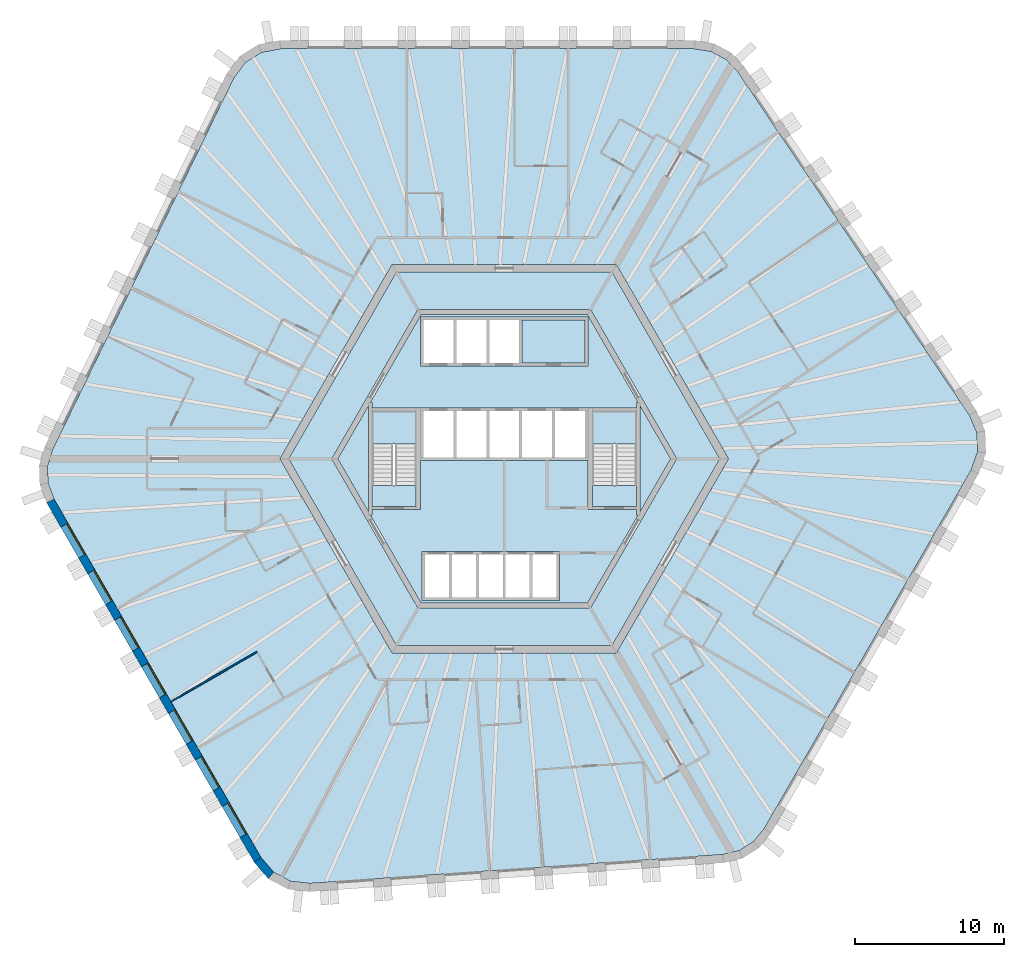
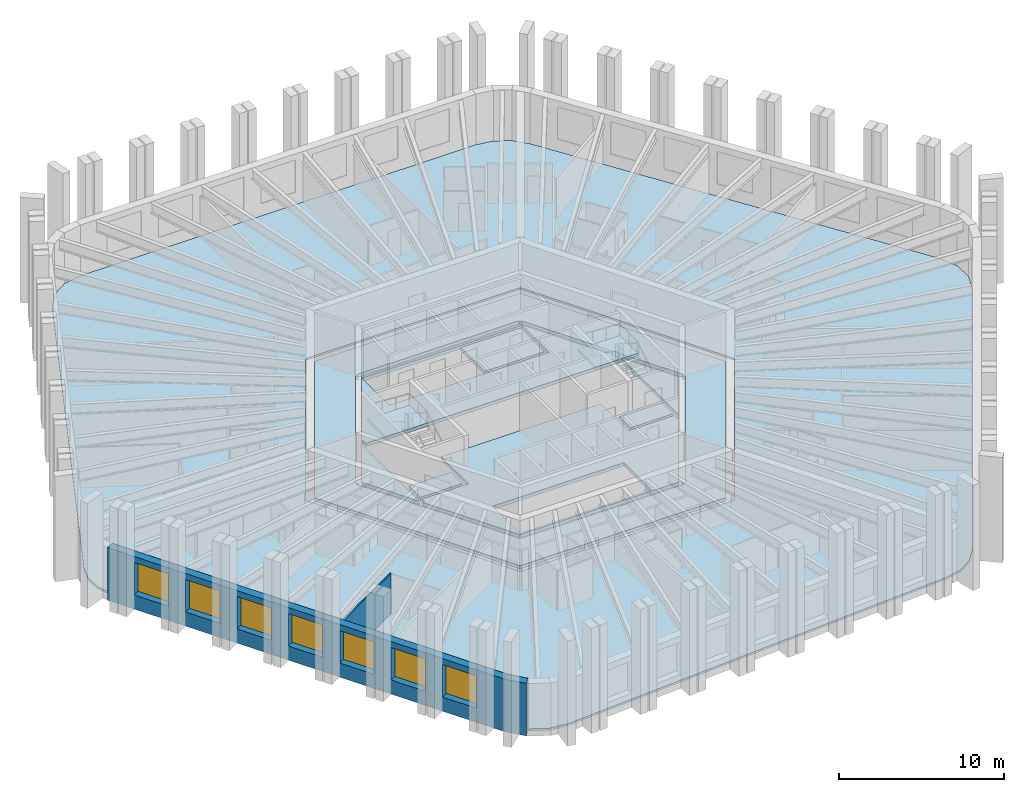
# One storey, part 2 of 10: 11 slabs, 7 windows, 3 walls, 7 openings, 2 elements without a shape of their own.
"""IFC4 building model written with IfcOpenShell, lengths in metres."""

from ifc_helpers import new_model, si_unit, direction, frame, frame_2d, origin, place, context, subcontext, project, spatial, polyline, rectangle, outline, extrude, material, layer, layer_set, type_object, element, fill, aggregate, save


model = new_model("IFC4")

# Units and contexts
model_context = context("Model", 3, precision=1e-05, world=origin(), true_north=direction((0.0, 1.0)))
body_context = subcontext(model_context, "Body", "Model", "MODEL_VIEW")
ifc_project = project(units=[si_unit("LENGTHUNIT", "METRE"), si_unit("AREAUNIT", "SQUARE_METRE"), si_unit("VOLUMEUNIT", "CUBIC_METRE"), si_unit("PLANEANGLEUNIT", "RADIAN"), si_unit("MASSUNIT", "GRAM", prefix="KILO")], contexts=[model_context])

# Site, building, storey
site_placement = place(None, origin())
site = spatial("IfcSite", under=ifc_project, at=site_placement, CompositionType="ELEMENT")
building_placement = place(site_placement, origin())
building = spatial("IfcBuilding", under=site, at=building_placement, Name="Tarnside Tower", CompositionType="ELEMENT")
storey_placement = place(building_placement, frame((0.0, 0.0, 176.10009765625)))
storey = spatial("IfcBuildingStorey", under=building, at=storey_placement, Name="L41", CompositionType="ELEMENT", Elevation=176.10009765625)

# Slabs
ifc_material_1 = material(Name="Concrete C35/45", Category="concrete")
ifc_layer_1 = layer(ifc_material_1, 0.14990234375)
ifc_layer_set_1 = layer_set([ifc_layer_1], Name="Composite floor slab 150")
slab_type_1 = type_object("IfcSlabType", Name="Composite floor slab 150", PredefinedType="FLOOR", material=ifc_layer_set_1)
slab_1_placement = place(storey_placement, frame((0.0, 0.0, -0.150146484375)))
element("IfcSlab", 1, at=slab_1_placement, inside=storey, type_object=slab_type_1, Name="Floor slab L41", PredefinedType="FLOOR", context=body_context, shape_type="SweptSolid", body=[
    extrude(outline(polyline([(13.864013671875, 27.264892578125), (14.85107421875, 26.740234375), (15.6337890625, 25.91064453125), (31.12890625, 2.938232421875), (31.644287109375, 1.7431640625), (31.68896484375, 0.468505859375), (31.258056640625, -0.759521484375), (17.403076171875, -24.7568359375), (16.68017578125, -25.63916015625), (15.732177734375, -26.2314453125), (14.622314453125, -26.494384765625), (-13.02001953125, -28.427490234375), (-14.3125, -28.2763671875), (-15.438720703125, -27.677490234375), (-16.286865234375, -26.6904296875), (-30.1416015625, -2.693115234375), (-30.544189453125, -1.6259765625), (-30.583251953125, -0.5087890625), (-30.256103515625, 0.583984375), (-18.10888671875, 25.4892578125), (-17.331787109375, 26.533203125), (-16.250244140625, 27.208984375), (-14.97119140625, 27.449951171875), (12.738525390625, 27.449951171875), (13.864013671875, 27.264892578125)]), holes=[polyline([(-15.010986328125, 0.0), (-7.505615234375, -13.0), (7.505615234375, -13.0), (15.010986328125, 0.0), (7.505615234375, 13.0), (-7.505615234375, 13.0), (-15.010986328125, 0.0)])]), origin(), (0.0, 0.0, 1.0), 0.150146484375),
])
ifc_material_2 = material(Name="Concrete C40/50", Category="concrete")
ifc_layer_2 = layer(ifc_material_2, 0.25)
ifc_layer_set_2 = layer_set([ifc_layer_2], Name="Core slab C40/50")
slab_type_2 = type_object("IfcSlabType", Name="Core slab C40/50", PredefinedType="FLOOR", material=ifc_layer_set_2)
slab_2_placement = place(storey_placement, frame((0.0, 0.0, -0.25)))
element("IfcSlab", 2, at=slab_2_placement, inside=storey, type_object=slab_type_2, Name="L41 core floor slab 1", PredefinedType="FLOOR", context=body_context, shape_type="SweptSolid", body=[
    extrude(outline(polyline([(-7.216796875, 12.5), (7.216796875, 12.5), (14.433837890625, 0.0), (7.216796875, -12.5), (-7.216796875, -12.5), (-14.433837890625, 0.0), (-7.216796875, 12.5)]), holes=[polyline([(5.823974609375, -9.91259765625), (11.49658203125, -0.08740234375), (11.344970703125, 0.0), (11.49658203125, 0.08740234375), (5.823974609375, 9.91259765625), (5.672607421875, 9.824951171875), (5.672607421875, 10.0), (-5.672607421875, 10.0), (-5.672607421875, 9.824951171875), (-5.823974609375, 9.91259765625), (-11.49658203125, 0.08740234375), (-11.344970703125, 0.0), (-11.49658203125, -0.08740234375), (-5.823974609375, -9.91259765625), (-5.672607421875, -9.824951171875), (-5.672607421875, -10.0), (5.672607421875, -10.0), (5.672607421875, -9.824951171875), (5.823974609375, -9.91259765625)])]), origin(), (0.0, 0.0, 1.0), 0.25),
])
slab_3_placement = place(storey_placement, frame((0.0, 0.0, -0.25)))
element("IfcSlab", 3, at=slab_3_placement, inside=storey, type_object=slab_type_2, Name="L41 core floor slab 2", PredefinedType="FLOOR", context=body_context, shape_type="SweptSolid", body=[
    extrude(outline(polyline([(-8.97509765625, 3.7548828125), (-5.5712890625, 9.64990234375), (5.5712890625, 9.64990234375), (8.97509765625, 3.7548828125), (8.85009765625, 3.7548828125), (8.85009765625, 3.39990234375), (5.89990234375, 3.39990234375), (5.60009765625, 3.39990234375), (5.60009765625, 3.39990234375), (-5.60009765625, 3.39990234375), (-5.89990234375, 3.39990234375), (-8.85009765625, 3.39990234375), (-8.85009765625, 3.7548828125), (-8.97509765625, 3.7548828125)]), holes=[polyline([(-5.60009765625, 6.199951171875), (5.60009765625, 6.199951171875), (5.60009765625, 6.39990234375), (5.60009765625, 9.300048828125), (5.60009765625, 9.5), (-5.60009765625, 9.5), (-5.60009765625, 9.300048828125), (-5.60009765625, 6.39990234375), (-5.60009765625, 6.199951171875)])]), origin(), (0.0, 0.0, 1.0), 0.25),
])
slab_4_placement = place(storey_placement, frame((0.0, 0.0, -0.25)))
element("IfcSlab", 4, at=slab_4_placement, inside=storey, type_object=slab_type_2, Name="L41 core floor slab 3", PredefinedType="FLOOR", context=body_context, shape_type="SweptSolid", body=[
    extrude(outline(polyline([(5.60009765625, -3.39990234375), (5.89990234375, -3.39990234375), (8.85009765625, -3.39990234375), (8.85009765625, -3.7548828125), (8.97509765625, -3.7548828125), (5.5712890625, -9.64990234375), (-5.5712890625, -9.64990234375), (-8.97509765625, -3.7548828125), (-8.85009765625, -3.7548828125), (-8.85009765625, -3.39990234375), (-5.89990234375, -3.39990234375), (-5.60009765625, -3.39990234375), (-5.60009765625, -0.10009765625), (5.60009765625, -0.10009765625), (5.60009765625, -3.39990234375)]), holes=[polyline([(-5.5, -9.300048828125), (-5.5, -9.5), (3.699951171875, -9.5), (3.699951171875, -9.300048828125), (3.699951171875, -6.39990234375), (3.699951171875, -6.199951171875), (-5.5, -6.199951171875), (-5.5, -6.39990234375), (-5.5, -9.300048828125)])]), origin(), (0.0, 0.0, 1.0), 0.25),
])
slab_5_placement = place(storey_placement, frame((0.0, 0.0, -0.25)))
element("IfcSlab", 5, at=slab_5_placement, inside=storey, type_object=slab_type_2, Name="L41 core floor slab 4", PredefinedType="FLOOR", context=body_context, shape_type="SweptSolid", body=[
    extrude(outline(polyline([(-11.142822265625, 0.0), (-9.10009765625, 3.538330078125), (-9.10009765625, -3.538330078125), (-11.142822265625, 0.0)])), origin(), (0.0, 0.0, 1.0), 0.25),
])
slab_6_placement = place(storey_placement, frame((0.0, 0.0, -0.25)))
element("IfcSlab", 6, at=slab_6_placement, inside=storey, type_object=slab_type_2, Name="L41 core floor slab 5", PredefinedType="FLOOR", context=body_context, shape_type="SweptSolid", body=[
    extrude(outline(polyline([(-8.85009765625, -1.800048828125), (-5.89990234375, -1.800048828125), (-5.89990234375, -3.199951171875), (-8.85009765625, -3.199951171875), (-8.85009765625, -1.800048828125)])), origin(), (0.0, 0.0, 1.0), 0.25),
])
slab_7_placement = place(storey_placement, frame((0.0, 0.0, -0.25)))
element("IfcSlab", 7, at=slab_7_placement, inside=storey, type_object=slab_type_2, Name="L41 core floor slab 6", PredefinedType="FLOOR", context=body_context, shape_type="SweptSolid", body=[
    extrude(outline(polyline([(5.89990234375, -3.199951171875), (5.89990234375, -1.800048828125), (8.85009765625, -1.800048828125), (8.85009765625, -3.199951171875), (5.89990234375, -3.199951171875)])), origin(), (0.0, 0.0, 1.0), 0.25),
])
slab_8_placement = place(storey_placement, frame((0.0, 0.0, -0.25)))
element("IfcSlab", 8, at=slab_8_placement, inside=storey, type_object=slab_type_2, Name="L41 core floor slab 7", PredefinedType="FLOOR", context=body_context, shape_type="SweptSolid", body=[
    extrude(outline(polyline([(9.10009765625, -3.538330078125), (9.10009765625, 3.538330078125), (11.142822265625, 0.0), (9.10009765625, -3.538330078125)])), origin(), (0.0, 0.0, 1.0), 0.25),
])
slab_9_placement = place(storey_placement, frame((0.0, 0.0, -0.25)))
element("IfcSlab", 9, at=slab_9_placement, inside=storey, type_object=slab_type_2, Name="L41 core floor slab 8", PredefinedType="FLOOR", context=body_context, shape_type="SweptSolid", body=[
    extrude(outline(polyline([(5.39990234375, 9.300048828125), (5.39990234375, 6.39990234375), (1.199951171875, 6.39990234375), (1.199951171875, 9.300048828125), (5.39990234375, 9.300048828125)])), origin(), (0.0, 0.0, 1.0), 0.25),
])

# Stair, slab
stair_type = type_object("IfcStairType", Name="Exit stair 1400 clear", PredefinedType="HALF_TURN_STAIR", material=ifc_material_2)
stair_1_placement = place(storey_placement, origin())
stair_1 = element("IfcStair", 10, at=stair_1_placement, inside=storey, type_object=stair_type, Name="L41 Exit stair 1", PredefinedType="HALF_TURN_STAIR")
ifc_layer_3 = layer(ifc_material_2, 0.199951171875)
ifc_layer_set_3 = layer_set([ifc_layer_3], Name="Stair landing 200 C40/50")
slab_type_3 = type_object("IfcSlabType", Name="Stair landing 200 C40/50", PredefinedType="LANDING", material=ifc_layer_set_3)
slab_10_placement = place(storey_placement, frame((0.0, 0.0, 1.75)))
slab_10 = element("IfcSlab", 11, at=slab_10_placement, type_object=slab_type_3, Name="ST1 landing 1", PredefinedType="LANDING", context=body_context, shape_type="SweptSolid", body=[
    extrude(outline(polyline([(8.85009765625, 1.0), (8.85009765625, 3.199951171875), (5.89990234375, 3.199951171875), (5.89990234375, 1.0), (8.85009765625, 1.0)])), origin(), (0.0, 0.0, 1.0), 0.199951171875),
])
aggregate(stair_1, [slab_10])

stair_2_placement = place(storey_placement, origin())
stair_2 = element("IfcStair", 12, at=stair_2_placement, inside=storey, type_object=stair_type, Name="L41 Exit stair 2", PredefinedType="HALF_TURN_STAIR")
slab_11_placement = place(storey_placement, frame((0.0, 0.0, 1.75)))
slab_11 = element("IfcSlab", 13, at=slab_11_placement, type_object=slab_type_3, Name="ST2 landing 1", PredefinedType="LANDING", context=body_context, shape_type="SweptSolid", body=[
    extrude(outline(polyline([(-5.89990234375, 1.0), (-5.89990234375, 3.199951171875), (-8.85009765625, 3.199951171875), (-8.85009765625, 1.0), (-5.89990234375, 1.0)])), origin(), (0.0, 0.0, 1.0), 0.199951171875),
])
aggregate(stair_2, [slab_11])

# Wall
ifc_material_3 = material(Name="Gypsum board partition on steel studs", Category="steel")
ifc_layer_4 = layer(ifc_material_3, 0.10009765625)
ifc_layer_set_4 = layer_set([ifc_layer_4], Name="Partition 100")
wall_type_1 = type_object("IfcWallType", Name="Partition 100", PredefinedType="PARTITIONING", material=ifc_layer_set_4)
wall_1_placement = place(storey_placement, frame((-22.3134765625, -16.251953125, 0.0), z_axis=(0.0, 0.0, 1.0), x_axis=(0.866027239912, 0.49999681972, 0.0)))
element("IfcWall", 14, at=wall_1_placement, inside=storey, type_object=wall_type_1, Name="Partition wall 13077", PredefinedType="PARTITIONING", context=body_context, shape_type="SweptSolid", body=[
    extrude(rectangle(XDim=6.64990234375, YDim=0.10009765625, at=frame_2d((3.324951171875, 0.0))), origin(), (0.0, 0.0, 1.0), 2.98779296875),
])

# Wall, openings, windows
ifc_material_4 = material(Name="Facing brick", Category="masonry")
ifc_layer_5 = layer(ifc_material_4, 0.10205078125)
ifc_material_5 = material(Name="Concrete C60/75 precast", Category="concrete")
ifc_layer_6 = layer(ifc_material_5, 0.347900390625)
ifc_material_6 = material(Name="Mineral wool insulation")
ifc_layer_7 = layer(ifc_material_6, 0.10009765625)
ifc_layer_set_5 = layer_set([ifc_layer_5, ifc_layer_6, ifc_layer_7], Name="Tube wall 550 brick faced")
wall_type_2 = type_object("IfcWallType", Name="Tube wall 550 brick faced", PredefinedType="SOLIDWALL", material=ifc_layer_set_5)
wall_2_placement = place(storey_placement, frame((-30.39111328125, -2.81103515625, -0.150146484375), z_axis=(0.0, 0.0, 1.0), x_axis=(0.499998569178, -0.866026229868, 0.0)))
wall_2 = element("IfcWall", 15, at=wall_2_placement, inside=storey, type_object=wall_type_2, Name="Tube wall L41 F3 flush 08", PredefinedType="SOLIDWALL", context=body_context, shape_type="SweptSolid", body=[
    extrude(outline(polyline([(-0.0224609375, -0.27490234375), (27.783447265625, -0.27490234375), (27.732177734375, 0.27490234375), (0.0224609375, 0.27490234375), (-0.0224609375, -0.27490234375)])), origin(), (0.0, 0.0, 1.0), 3.900146484375),
])
opening_1_placement = place(wall_2_placement, frame((1.87890625, 0.0, 1.050048828125)))
opening_1 = element("IfcOpeningElement", 16, at=opening_1_placement, cuts=wall_2, Name="Opening WH", PredefinedType="OPENING", context=body_context, shape_type="SweptSolid", body=[
    extrude(rectangle(XDim=2.39990234375, YDim=2.39990234375, at=frame_2d((1.199951171875, 1.199951171875))), frame((0.0, 0.28515625, 0.0), z_axis=(0.0, -1.0, 0.0), x_axis=(1.0, 0.0, 0.0)), (0.0, 0.0, 1.0), 0.570068359375),
])
opening_2_placement = place(wall_2_placement, frame((5.47900390625, 0.0, 1.050048828125)))
opening_2 = element("IfcOpeningElement", 17, at=opening_2_placement, cuts=wall_2, Name="Opening WH", PredefinedType="OPENING", context=body_context, shape_type="SweptSolid", body=[
    extrude(rectangle(XDim=2.39990234375, YDim=2.39990234375, at=frame_2d((1.199951171875, 1.199951171875))), frame((0.0, 0.28515625, 0.0), z_axis=(0.0, -1.0, 0.0), x_axis=(1.0, 0.0, 0.0)), (0.0, 0.0, 1.0), 0.570068359375),
])
opening_3_placement = place(wall_2_placement, frame((9.078857421875, 0.0, 1.050048828125)))
opening_3 = element("IfcOpeningElement", 18, at=opening_3_placement, cuts=wall_2, Name="Opening WH", PredefinedType="OPENING", context=body_context, shape_type="SweptSolid", body=[
    extrude(rectangle(XDim=2.39990234375, YDim=2.39990234375, at=frame_2d((1.199951171875, 1.199951171875))), frame((0.0, 0.28515625, 0.0), z_axis=(0.0, -1.0, 0.0), x_axis=(1.0, 0.0, 0.0)), (0.0, 0.0, 1.0), 0.570068359375),
])
opening_4_placement = place(wall_2_placement, frame((12.678955078125, 0.0, 1.050048828125)))
opening_4 = element("IfcOpeningElement", 19, at=opening_4_placement, cuts=wall_2, Name="Opening WH", PredefinedType="OPENING", context=body_context, shape_type="SweptSolid", body=[
    extrude(rectangle(XDim=2.39990234375, YDim=2.39990234375, at=frame_2d((1.199951171875, 1.199951171875))), frame((0.0, 0.28515625, 0.0), z_axis=(0.0, -1.0, 0.0), x_axis=(1.0, 0.0, 0.0)), (0.0, 0.0, 1.0), 0.570068359375),
])
opening_5_placement = place(wall_2_placement, frame((16.27880859375, 0.0, 1.050048828125)))
opening_5 = element("IfcOpeningElement", 20, at=opening_5_placement, cuts=wall_2, Name="Opening WH", PredefinedType="OPENING", context=body_context, shape_type="SweptSolid", body=[
    extrude(rectangle(XDim=2.39990234375, YDim=2.39990234375, at=frame_2d((1.199951171875, 1.199951171875))), frame((0.0, 0.28515625, 0.0), z_axis=(0.0, -1.0, 0.0), x_axis=(1.0, 0.0, 0.0)), (0.0, 0.0, 1.0), 0.570068359375),
])
opening_6_placement = place(wall_2_placement, frame((19.87890625, 0.0, 1.050048828125)))
opening_6 = element("IfcOpeningElement", 21, at=opening_6_placement, cuts=wall_2, Name="Opening WH", PredefinedType="OPENING", context=body_context, shape_type="SweptSolid", body=[
    extrude(rectangle(XDim=2.39990234375, YDim=2.39990234375, at=frame_2d((1.199951171875, 1.199951171875))), frame((0.0, 0.28515625, 0.0), z_axis=(0.0, -1.0, 0.0), x_axis=(1.0, 0.0, 0.0)), (0.0, 0.0, 1.0), 0.570068359375),
])
opening_7_placement = place(wall_2_placement, frame((23.47900390625, 0.0, 1.050048828125)))
opening_7 = element("IfcOpeningElement", 22, at=opening_7_placement, cuts=wall_2, Name="Opening WH", PredefinedType="OPENING", context=body_context, shape_type="SweptSolid", body=[
    extrude(rectangle(XDim=2.39990234375, YDim=2.39990234375, at=frame_2d((1.199951171875, 1.199951171875))), frame((0.0, 0.28515625, 0.0), z_axis=(0.0, -1.0, 0.0), x_axis=(1.0, 0.0, 0.0)), (0.0, 0.0, 1.0), 0.570068359375),
])
ifc_material_7 = material(Name="Aluminium-framed double glazing", Category="aluminium")
window_type = type_object("IfcWindowType", Name="Hotel window 2400 x 2400", PartitioningType="DOUBLE_PANEL_VERTICAL", PredefinedType="WINDOW", material=ifc_material_7)
window_1_placement = place(opening_1_placement, frame((0.0, 0.205078125, 0.0)))
window_1 = element("IfcWindow", 23, at=window_1_placement, inside=storey, type_object=window_type, Name="E.WN.L41.F3.00", OverallHeight=2.39990234375, OverallWidth=2.39990234375, PartitioningType="DOUBLE_PANEL_VERTICAL", PredefinedType="WINDOW", context=body_context, shape_type="SweptSolid", body=[
    extrude(rectangle(XDim=2.39990234375, YDim=2.39990234375, at=frame_2d((1.199951171875, 1.199951171875))), frame((0.0, 0.030029296875, 0.0), z_axis=(0.0, -1.0, 0.0), x_axis=(1.0, 0.0, 0.0)), (0.0, 0.0, 1.0), 0.06005859375),
])
fill(opening_1, window_1)
window_2_placement = place(opening_2_placement, frame((0.0, 0.205078125, 0.0)))
window_2 = element("IfcWindow", 24, at=window_2_placement, inside=storey, type_object=window_type, Name="E.WN.L41.F3.01", OverallHeight=2.39990234375, OverallWidth=2.39990234375, PartitioningType="DOUBLE_PANEL_VERTICAL", PredefinedType="WINDOW", context=body_context, shape_type="SweptSolid", body=[
    extrude(rectangle(XDim=2.39990234375, YDim=2.39990234375, at=frame_2d((1.199951171875, 1.199951171875))), frame((0.0, 0.030029296875, 0.0), z_axis=(0.0, -1.0, 0.0), x_axis=(1.0, 0.0, 0.0)), (0.0, 0.0, 1.0), 0.06005859375),
])
fill(opening_2, window_2)
window_3_placement = place(opening_3_placement, frame((0.0, 0.205078125, 0.0)))
window_3 = element("IfcWindow", 25, at=window_3_placement, inside=storey, type_object=window_type, Name="E.WN.L41.F3.02", OverallHeight=2.39990234375, OverallWidth=2.39990234375, PartitioningType="DOUBLE_PANEL_VERTICAL", PredefinedType="WINDOW", context=body_context, shape_type="SweptSolid", body=[
    extrude(rectangle(XDim=2.39990234375, YDim=2.39990234375, at=frame_2d((1.199951171875, 1.199951171875))), frame((0.0, 0.030029296875, 0.0), z_axis=(0.0, -1.0, 0.0), x_axis=(1.0, 0.0, 0.0)), (0.0, 0.0, 1.0), 0.06005859375),
])
fill(opening_3, window_3)
window_4_placement = place(opening_4_placement, frame((0.0, 0.205078125, 0.0)))
window_4 = element("IfcWindow", 26, at=window_4_placement, inside=storey, type_object=window_type, Name="E.WN.L41.F3.03", OverallHeight=2.39990234375, OverallWidth=2.39990234375, PartitioningType="DOUBLE_PANEL_VERTICAL", PredefinedType="WINDOW", context=body_context, shape_type="SweptSolid", body=[
    extrude(rectangle(XDim=2.39990234375, YDim=2.39990234375, at=frame_2d((1.199951171875, 1.199951171875))), frame((0.0, 0.030029296875, 0.0), z_axis=(0.0, -1.0, 0.0), x_axis=(1.0, 0.0, 0.0)), (0.0, 0.0, 1.0), 0.06005859375),
])
fill(opening_4, window_4)
window_5_placement = place(opening_5_placement, frame((0.0, 0.205078125, 0.0)))
window_5 = element("IfcWindow", 27, at=window_5_placement, inside=storey, type_object=window_type, Name="E.WN.L41.F3.04", OverallHeight=2.39990234375, OverallWidth=2.39990234375, PartitioningType="DOUBLE_PANEL_VERTICAL", PredefinedType="WINDOW", context=body_context, shape_type="SweptSolid", body=[
    extrude(rectangle(XDim=2.39990234375, YDim=2.39990234375, at=frame_2d((1.199951171875, 1.199951171875))), frame((0.0, 0.030029296875, 0.0), z_axis=(0.0, -1.0, 0.0), x_axis=(1.0, 0.0, 0.0)), (0.0, 0.0, 1.0), 0.06005859375),
])
fill(opening_5, window_5)
window_6_placement = place(opening_6_placement, frame((0.0, 0.205078125, 0.0)))
window_6 = element("IfcWindow", 28, at=window_6_placement, inside=storey, type_object=window_type, Name="E.WN.L41.F3.05", OverallHeight=2.39990234375, OverallWidth=2.39990234375, PartitioningType="DOUBLE_PANEL_VERTICAL", PredefinedType="WINDOW", context=body_context, shape_type="SweptSolid", body=[
    extrude(rectangle(XDim=2.39990234375, YDim=2.39990234375, at=frame_2d((1.199951171875, 1.199951171875))), frame((0.0, 0.030029296875, 0.0), z_axis=(0.0, -1.0, 0.0), x_axis=(1.0, 0.0, 0.0)), (0.0, 0.0, 1.0), 0.06005859375),
])
fill(opening_6, window_6)
window_7_placement = place(opening_7_placement, frame((0.0, 0.205078125, 0.0)))
window_7 = element("IfcWindow", 29, at=window_7_placement, inside=storey, type_object=window_type, Name="E.WN.L41.F3.06", OverallHeight=2.39990234375, OverallWidth=2.39990234375, PartitioningType="DOUBLE_PANEL_VERTICAL", PredefinedType="WINDOW", context=body_context, shape_type="SweptSolid", body=[
    extrude(rectangle(XDim=2.39990234375, YDim=2.39990234375, at=frame_2d((1.199951171875, 1.199951171875))), frame((0.0, 0.030029296875, 0.0), z_axis=(0.0, -1.0, 0.0), x_axis=(1.0, 0.0, 0.0)), (0.0, 0.0, 1.0), 0.06005859375),
])
fill(opening_7, window_7)

# Wall
wall_3_placement = place(storey_placement, frame((-16.51220703125, -26.85009765625, -0.150146484375), z_axis=(0.0, 0.0, 1.0), x_axis=(0.651621950847, -0.758543890078, 0.0)))
element("IfcWall", 30, at=wall_3_placement, inside=storey, type_object=wall_type_2, Name="Tube wall L41 F3 chord 09", PredefinedType="SOLIDWALL", context=body_context, shape_type="SweptSolid", body=[
    extrude(outline(polyline([(-0.025634765625, -0.27490234375), (1.430908203125, -0.27490234375), (1.327392578125, 0.27490234375), (0.025634765625, 0.27490234375), (-0.025634765625, -0.27490234375)])), origin(), (0.0, 0.0, 1.0), 3.900146484375),
])

save(model, "model.ifc")
